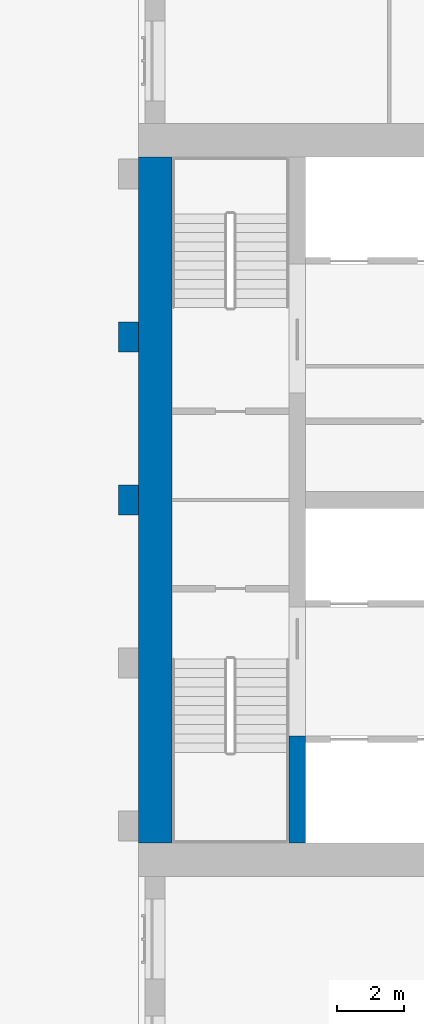
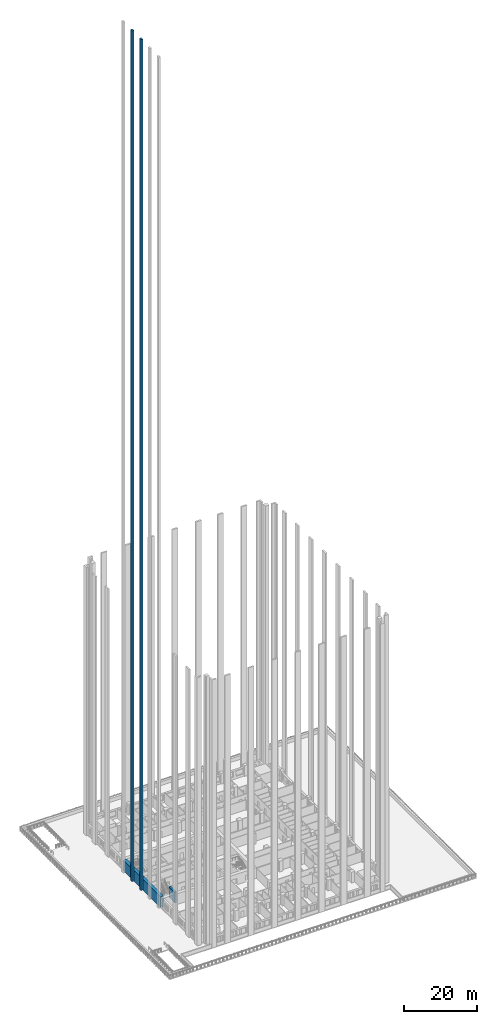
# One storey, part 11 of 27: 4 walls.
"""IFC4 building model written with IfcOpenShell, lengths in metres."""

from ifc_helpers import new_model, si_unit, direction, frame, frame_2d, origin, place, context, subcontext, project, spatial, rectangle, extrude, material, layer, layer_set, type_object, element, save


model = new_model("IFC4")

# Units and contexts
model_context = context("Model", 3, precision=1e-05, world=origin(), true_north=direction((0.0, 1.0)))
body_context = subcontext(model_context, "Body", "Model", "MODEL_VIEW")
ifc_project = project(units=[si_unit("LENGTHUNIT", "METRE"), si_unit("AREAUNIT", "SQUARE_METRE"), si_unit("VOLUMEUNIT", "CUBIC_METRE"), si_unit("PLANEANGLEUNIT", "RADIAN"), si_unit("MASSUNIT", "GRAM", prefix="KILO")], contexts=[model_context])

# Site, building, storey
site_placement = place(None, origin())
site = spatial("IfcSite", under=ifc_project, at=site_placement, CompositionType="ELEMENT")
building_placement = place(site_placement, origin())
building = spatial("IfcBuilding", under=site, at=building_placement, Name="Tamorin Gate", CompositionType="ELEMENT")
storey_placement = place(building_placement, frame((0.0, 0.0, 34.0)))
storey = spatial("IfcBuildingStorey", under=building, at=storey_placement, Name="L06", CompositionType="ELEMENT", Elevation=34.0)

# Walls
ifc_material_1 = material(Name="Concrete C80/95", Category="concrete")
ifc_layer_1 = layer(ifc_material_1, 0.5)
ifc_layer_set_1 = layer_set([ifc_layer_1], Name="RC core internal wall 500 C80/95")
wall_type_1 = type_object("IfcWallType", Name="RC core internal wall 500 C80/95", PredefinedType="SHEAR", material=ifc_layer_set_1)
wall_1_placement = place(storey_placement, frame((34.75, 61.0, 0.0), z_axis=(0.0, 0.0, 1.0), x_axis=(0.0, 1.0, 0.0)))
element("IfcWall", 1, at=wall_1_placement, inside=storey, type_object=wall_type_1, Name="Core cross wall L06", PredefinedType="SHEAR", context=body_context, shape_type="SweptSolid", body=[
    extrude(rectangle(XDim=3.199951171875, YDim=0.5, at=frame_2d((1.60009765625, 0.0))), origin(), (0.0, 0.0, 1.0), 3.60009765625),
])
ifc_layer_2 = layer(ifc_material_1, 1.0)
ifc_layer_set_2 = layer_set([ifc_layer_2], Name="RC core wall 1000 C80/95")
wall_type_2 = type_object("IfcWallType", Name="RC core wall 1000 C80/95", PredefinedType="SHEAR", material=ifc_layer_set_2)
wall_2_placement = place(storey_placement, frame((30.5, 61.0, 0.0), z_axis=(0.0, 0.0, 1.0), x_axis=(0.0, 1.0, 0.0)))
element("IfcWall", 2, at=wall_2_placement, inside=storey, type_object=wall_type_2, Name="Core wall L06", PredefinedType="SHEAR", context=body_context, shape_type="SweptSolid", body=[
    extrude(rectangle(XDim=20.5, YDim=1.0, at=frame_2d((10.25, 0.0))), origin(), (0.0, 0.0, 1.0), 3.60009765625),
])
ifc_material_2 = material(Name="Precast concrete C40/50", Category="concrete")
ifc_layer_3 = layer(ifc_material_2, 0.60009765625)
ifc_layer_set_3 = layer_set([ifc_layer_3], Name="Spine rib 900x600")
wall_type_3 = type_object("IfcWallType", Name="Spine rib 900x600", PredefinedType="SOLIDWALL", material=ifc_layer_set_3)
for number, where, z_axis, x_axis, name in (
    (3, (29.699951171875, 70.800048828125, 0.0), (0.0, 0.0, 1.0), (0.0, 1.0, 0.0), "Spine rib"),
    (4, (29.699951171875, 75.675048828125, 0.0), (0.0, 0.0, 1.0), (0.0, 1.0, 0.0), "Spine rib"),
):
    element("IfcWall", number, at=place(storey_placement, frame(where, z_axis=z_axis, x_axis=x_axis)), inside=storey, type_object=wall_type_3, Name=name, PredefinedType="SOLIDWALL", context=body_context, shape_type="SweptSolid", body=[
        extrude(rectangle(XDim=0.89990234375, YDim=0.60009765625, at=frame_2d((0.449951171875, 0.0))), origin(), (0.0, 0.0, 1.0), 286.199951171875),
    ])

save(model, "model.ifc")
